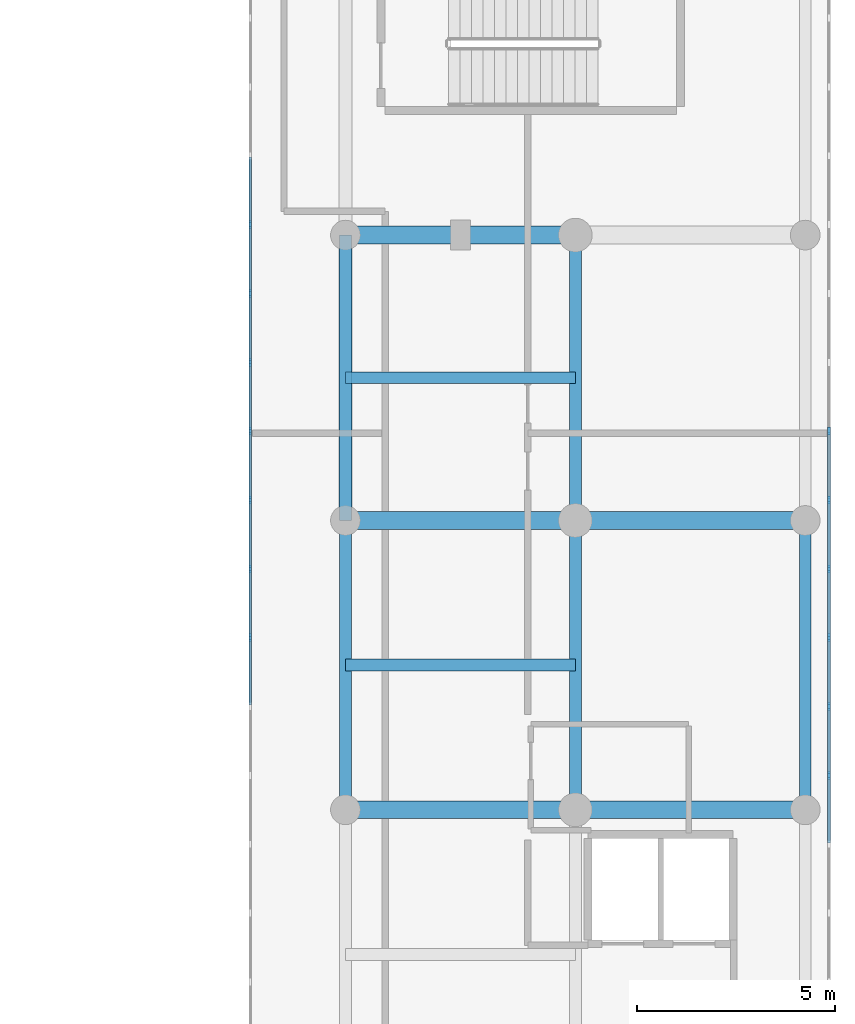
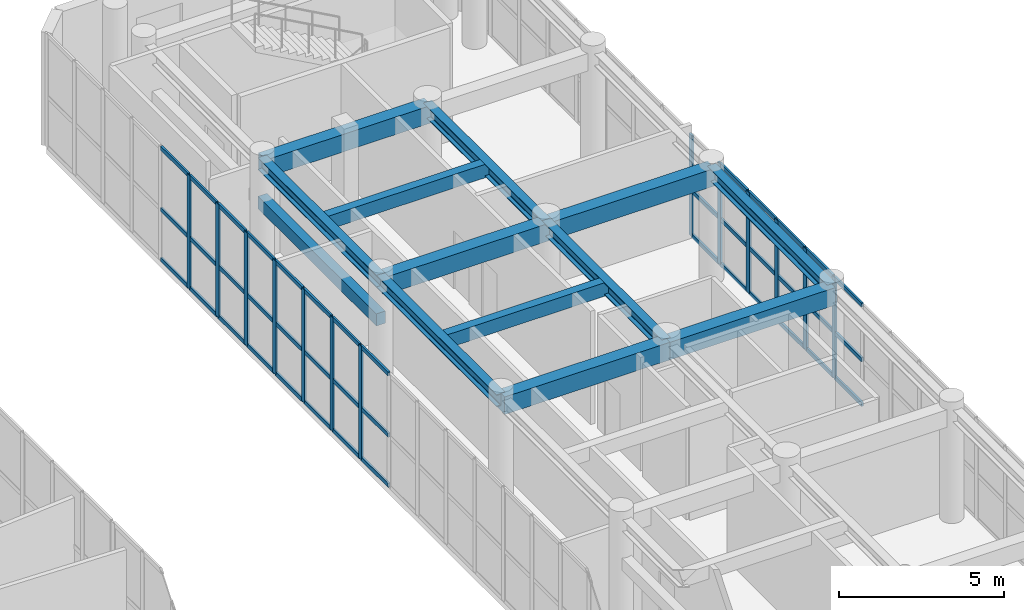
# One storey, part 8 of 26: 54 members, 13 beams, 2 elements without a shape of their own.
"""IFC4 building model written with IfcOpenShell, lengths in metres."""

from ifc_helpers import new_model, si_unit, direction, frame, origin, origin_with_axes, origin_2d, place, context, subcontext, project, spatial, rectangle, i_section, extrude, source, transform, mapped, material, layer, layer_set, material_profile, profile_set, type_object, element, aggregate, save


model = new_model("IFC4")

# Units and contexts
model_context = context("Model", 3, precision=1e-05, world=origin(), true_north=direction((0.0, 1.0)))
body_context = subcontext(model_context, "Body", "Model", "MODEL_VIEW")
ifc_project = project(units=[si_unit("LENGTHUNIT", "METRE"), si_unit("AREAUNIT", "SQUARE_METRE"), si_unit("VOLUMEUNIT", "CUBIC_METRE"), si_unit("PLANEANGLEUNIT", "RADIAN"), si_unit("MASSUNIT", "GRAM", prefix="KILO")], contexts=[model_context])

# Site, building, storey
site_placement = place(None, origin())
site = spatial("IfcSite", under=ifc_project, at=site_placement, CompositionType="ELEMENT")
building_placement = place(site_placement, origin())
building = spatial("IfcBuilding", under=site, at=building_placement, Name="Karkom Vertical University and Central Library", CompositionType="ELEMENT")
storey_placement = place(building_placement, frame((0.0, 0.0, 9.0)))
storey = spatial("IfcBuildingStorey", under=building, at=storey_placement, Name="L02", CompositionType="ELEMENT", Elevation=9.0)

# Beams
ifc_material_1 = material(Name="Concrete C40/50", Category="concrete")
ifc_material_profile_1 = material_profile(ifc_material_1, rectangle(XDim=0.449951171875, YDim=0.64990234375, at=origin_2d()), Name="RCB-450x650")
ifc_profile_set_1 = profile_set([ifc_material_profile_1], Name="Concrete C40/50")
beam_type_1 = type_object("IfcBeamType", Name="STR-BM-BG-4", PredefinedType="USERDEFINED", material=ifc_profile_set_1)
shared_shape_1 = source(origin_with_axes(), body_context, "Body", "SweptSolid", [
    extrude(rectangle(XDim=0.449951171875, YDim=0.64990234375, at=origin_2d()), origin(), (0.0, 0.0, 1.0), 5.7998046875),
])
for number, where, z_axis, x_axis, name in (
    (1, (69.60009765625, 26.5, 3.875), (1.0, 0.0, 0.0), (0.0, 1.0, 0.0), "Level 02 Library Transverse Girder 4.1"),
    (2, (69.60009765625, 33.800048828125, 3.875), (1.0, 0.0, 0.0), (0.0, 1.0, 0.0), "Level 02 Library Transverse Girder 5.1"),
    (3, (69.60009765625, 41.0, 3.875), (1.0, 0.0, 0.0), (0.0, 1.0, 0.0), "Level 02 Library Transverse Girder 6.1"),
):
    element("IfcBeam", number, at=place(storey_placement, frame(where, z_axis=z_axis, x_axis=x_axis)), inside=storey, type_object=beam_type_1, Name=name, ObjectType="GIRDER", PredefinedType="USERDEFINED", context=body_context, shape_type="MappedRepresentation", body=[
        mapped(shared_shape_1, transform((0.0, 0.0, 0.0), scale=1.0)),
    ])
shared_shape_2 = source(origin_with_axes(), body_context, "Body", "SweptSolid", [
    extrude(rectangle(XDim=0.449951171875, YDim=0.64990234375, at=origin_2d()), origin(), (0.0, 0.0, 1.0), 5.800048828125),
])
for number, where, z_axis, x_axis, name in (
    (4, (75.39990234375, 26.5, 3.875), (1.0, 0.0, 0.0), (0.0, 1.0, 0.0), "Level 02 Library Transverse Girder 4.2"),
    (5, (75.39990234375, 33.800048828125, 3.875), (1.0, 0.0, 0.0), (0.0, 1.0, 0.0), "Level 02 Library Transverse Girder 5.2"),
):
    element("IfcBeam", number, at=place(storey_placement, frame(where, z_axis=z_axis, x_axis=x_axis)), inside=storey, type_object=beam_type_1, Name=name, ObjectType="GIRDER", PredefinedType="USERDEFINED", context=body_context, shape_type="MappedRepresentation", body=[
        mapped(shared_shape_2, transform((0.0, 0.0, 0.0), scale=1.0)),
    ])
ifc_material_2 = material(Name="Steel S355", Category="steel")
ifc_material_profile_2 = material_profile(ifc_material_2, i_section(OverallWidth=0.300048828125, OverallDepth=0.449951171875, WebThickness=0.013916015625, FlangeThickness=0.02587890625, FilletRadius=0.027099609375, at=origin_2d()), Name="HE 450 B")
ifc_profile_set_2 = profile_set([ifc_material_profile_2], Name="Steel S355")
beam_type_2 = type_object("IfcBeamType", Name="STR-BM-SB-HE450", PredefinedType="BEAM", material=ifc_profile_set_2)
shared_shape_3 = source(origin_with_axes(), body_context, "Body", "SweptSolid", [
    extrude(i_section(OverallWidth=0.300048828125, OverallDepth=0.449951171875, WebThickness=0.013916015625, FlangeThickness=0.02587890625, FilletRadius=0.027099609375, at=origin_2d()), origin(), (0.0, 0.0, 1.0), 7.199951171875),
])
for number, where, z_axis, x_axis, name in (
    (6, (69.60009765625, 33.800048828125, 3.97509765625), (0.0, 1.0, 0.0), (-1.0, 0.0, 0.0), "Level 02 Library Longitudinal Beam 1.5"),
    (7, (75.39990234375, 33.800048828125, 3.97509765625), (0.0, 1.0, 0.0), (-1.0, 0.0, 0.0), "Level 02 Library Longitudinal Beam 2.5"),
):
    element("IfcBeam", number, at=place(storey_placement, frame(where, z_axis=z_axis, x_axis=x_axis)), inside=storey, type_object=beam_type_2, Name=name, PredefinedType="BEAM", context=body_context, shape_type="MappedRepresentation", body=[
        mapped(shared_shape_3, transform((0.0, 0.0, 0.0), scale=1.0)),
    ])
shared_shape_4 = source(origin_with_axes(), body_context, "Body", "SweptSolid", [
    extrude(i_section(OverallWidth=0.300048828125, OverallDepth=0.449951171875, WebThickness=0.013916015625, FlangeThickness=0.02587890625, FilletRadius=0.027099609375, at=origin_2d()), origin(), (0.0, 0.0, 1.0), 7.300048828125),
])
for number, where, z_axis, x_axis, name in (
    (8, (69.60009765625, 26.5, 3.97509765625), (0.0, 1.0, 0.0), (-1.0, 0.0, 0.0), "Level 02 Library Longitudinal Beam 1.4"),
    (9, (75.39990234375, 26.5, 3.97509765625), (0.0, 1.0, 0.0), (-1.0, 0.0, 0.0), "Level 02 Library Longitudinal Beam 2.4"),
    (10, (81.199951171875, 26.5, 3.97509765625), (0.0, 1.0, 0.0), (-1.0, 0.0, 0.0), "Level 02 Library Longitudinal Beam 3.4"),
):
    element("IfcBeam", number, at=place(storey_placement, frame(where, z_axis=z_axis, x_axis=x_axis)), inside=storey, type_object=beam_type_2, Name=name, PredefinedType="BEAM", context=body_context, shape_type="MappedRepresentation", body=[
        mapped(shared_shape_4, transform((0.0, 0.0, 0.0), scale=1.0)),
    ])
ifc_material_profile_3 = material_profile(ifc_material_1, rectangle(XDim=0.300048828125, YDim=0.5, at=origin_2d()), Name="RCJ-300x500")
ifc_profile_set_3 = profile_set([ifc_material_profile_3], Name="Concrete C40/50")
beam_type_3 = type_object("IfcBeamType", Name="STR-BM-JS-1", PredefinedType="JOIST", material=ifc_profile_set_3)
shared_shape_5 = source(origin_with_axes(), body_context, "Body", "SweptSolid", [
    extrude(rectangle(XDim=0.300048828125, YDim=0.5, at=origin_2d()), origin(), (0.0, 0.0, 1.0), 5.7998046875),
])
for number, where, z_axis, x_axis, name in (
    (11, (69.60009765625, 30.14990234375, 3.949951171875), (1.0, 0.0, 0.0), (0.0, 1.0, 0.0), "Level 02 Library Reading Coffered Joist 4"),
    (12, (69.60009765625, 37.39990234375, 3.949951171875), (1.0, 0.0, 0.0), (0.0, 1.0, 0.0), "Level 02 Library Reading Coffered Joist 5"),
):
    element("IfcBeam", number, at=place(storey_placement, frame(where, z_axis=z_axis, x_axis=x_axis)), inside=storey, type_object=beam_type_3, Name=name, PredefinedType="JOIST", context=body_context, shape_type="MappedRepresentation", body=[
        mapped(shared_shape_5, transform((0.0, 0.0, 0.0), scale=1.0)),
    ])
ifc_material_3 = material(Name="Precast concrete C45/55", Category="concrete")
ifc_material_profile_4 = material_profile(ifc_material_3, rectangle(XDim=0.320068359375, YDim=0.449951171875, at=origin_2d()), Name="RCL-320x450")
ifc_profile_set_4 = profile_set([ifc_material_profile_4], Name="Precast concrete C45/55")
beam_type_4 = type_object("IfcBeamType", Name="STR-BM-LN-1", PredefinedType="LINTEL", material=ifc_profile_set_4)
shared_shape_6 = source(origin_with_axes(), body_context, "Body", "SweptSolid", [
    extrude(rectangle(XDim=0.320068359375, YDim=0.449951171875, at=origin_2d()), origin(), (0.0, 0.0, 1.0), 7.199951171875),
])
beam_placement = place(storey_placement, frame((69.60009765625, 33.800048828125, 2.550048828125), z_axis=(0.0, 1.0, 0.0), x_axis=(-1.0, 0.0, 0.0)))
element("IfcBeam", 13, at=beam_placement, inside=storey, type_object=beam_type_4, Name="Level 02 Brutalist Concrete Portal Lintel 3", PredefinedType="LINTEL", context=body_context, shape_type="MappedRepresentation", body=[
    mapped(shared_shape_6, transform((0.0, 0.0, 0.0), scale=1.0)),
])

# Curtain wall, members
ifc_material_4 = material(Name="Aluminium curtain-wall framing and low-E IGU", Category="aluminium")
ifc_layer = layer(ifc_material_4, 0.199951171875)
ifc_layer_set = layer_set([ifc_layer], Name="Aluminium curtain-wall framing and low-E IGU")
curtain_wall_type = type_object("IfcCurtainWallType", Name="ENV-CW-1", PredefinedType="USERDEFINED", material=ifc_layer_set)
curtain_wall_1_placement = place(storey_placement, origin())
curtain_wall_1 = element("IfcCurtainWall", 14, at=curtain_wall_1_placement, inside=storey, type_object=curtain_wall_type, Name="Level 02 CW-1 Curtain Wall Level 02-CW-1-LIB-3", ObjectType="STICK MULLION GLAZING", PredefinedType="USERDEFINED")
ifc_material_5 = material(Name="Anodised Aluminium 6063-T6", Category="aluminium")
ifc_material_profile_5 = material_profile(ifc_material_5, rectangle(XDim=0.070068359375, YDim=0.199951171875, at=origin_2d()), Name="ALU-M70x200")
ifc_profile_set_5 = profile_set([ifc_material_profile_5], Name="Anodised Aluminium 6063-T6")
member_type_1 = type_object("IfcMemberType", Name="ENV-MEM-ALU-M70x200", PredefinedType="MULLION", material=ifc_profile_set_5)
shared_shape_7 = source(origin_with_axes(), body_context, "Body", "SweptSolid", [
    extrude(rectangle(XDim=0.070068359375, YDim=0.199951171875, at=origin_2d()), origin(), (0.0, 0.0, 1.0), 3.75),
])
member_1_placement = place(storey_placement, frame((81.800048828125, 27.368408203125, 0.0), z_axis=(0.0, 0.0, 1.0), x_axis=(-1.0, 0.0, 0.0)))
member_1 = element("IfcMember", 15, at=member_1_placement, type_object=member_type_1, Name="CW-1 mullion 15", PredefinedType="MULLION", context=body_context, shape_type="MappedRepresentation", body=[
    mapped(shared_shape_7, transform((0.0, 0.0, 0.0), scale=1.0)),
])
member_2_placement = place(storey_placement, frame((81.800048828125, 29.10546875, 0.0), z_axis=(0.0, 0.0, 1.0), x_axis=(-1.0, 0.0, 0.0)))
member_2 = element("IfcMember", 16, at=member_2_placement, type_object=member_type_1, Name="CW-1 mullion 16", PredefinedType="MULLION", context=body_context, shape_type="MappedRepresentation", body=[
    mapped(shared_shape_7, transform((0.0, 0.0, 0.0), scale=1.0)),
])
member_3_placement = place(storey_placement, frame((81.800048828125, 30.842529296875, 0.0), z_axis=(0.0, 0.0, 1.0), x_axis=(-1.0, 0.0, 0.0)))
member_3 = element("IfcMember", 17, at=member_3_placement, type_object=member_type_1, Name="CW-1 mullion 17", PredefinedType="MULLION", context=body_context, shape_type="MappedRepresentation", body=[
    mapped(shared_shape_7, transform((0.0, 0.0, 0.0), scale=1.0)),
])
member_4_placement = place(storey_placement, frame((81.800048828125, 32.57958984375, 0.0), z_axis=(0.0, 0.0, 1.0), x_axis=(-1.0, 0.0, 0.0)))
member_4 = element("IfcMember", 18, at=member_4_placement, type_object=member_type_1, Name="CW-1 mullion 18", PredefinedType="MULLION", context=body_context, shape_type="MappedRepresentation", body=[
    mapped(shared_shape_7, transform((0.0, 0.0, 0.0), scale=1.0)),
])
member_5_placement = place(storey_placement, frame((81.800048828125, 34.316650390625, 0.0), z_axis=(0.0, 0.0, 1.0), x_axis=(-1.0, 0.0, 0.0)))
member_5 = element("IfcMember", 19, at=member_5_placement, type_object=member_type_1, Name="CW-1 mullion 19", PredefinedType="MULLION", context=body_context, shape_type="MappedRepresentation", body=[
    mapped(shared_shape_7, transform((0.0, 0.0, 0.0), scale=1.0)),
])
member_6_placement = place(storey_placement, frame((81.800048828125, 36.0537109375, 0.0), z_axis=(0.0, 0.0, 1.0), x_axis=(-1.0, 0.0, 0.0)))
member_6 = element("IfcMember", 20, at=member_6_placement, type_object=member_type_1, Name="CW-1 mullion 20", PredefinedType="MULLION", context=body_context, shape_type="MappedRepresentation", body=[
    mapped(shared_shape_7, transform((0.0, 0.0, 0.0), scale=1.0)),
])

curtain_wall_2_placement = place(storey_placement, origin())
curtain_wall_2 = element("IfcCurtainWall", 21, at=curtain_wall_2_placement, inside=storey, type_object=curtain_wall_type, Name="Level 02 CW-1 Curtain Wall Level 02-CW-1-LIB-7", ObjectType="STICK MULLION GLAZING", PredefinedType="USERDEFINED")
shared_shape_8 = source(origin_with_axes(), body_context, "Body", "SweptSolid", [
    extrude(rectangle(XDim=0.070068359375, YDim=0.199951171875, at=origin_2d()), origin(), (0.0, 0.0, 1.0), 4.199951171875),
])
member_7_placement = place(storey_placement, frame((67.199951171875, 41.264892578125, 0.0), z_axis=(0.0, 0.0, 1.0), x_axis=(1.0, 0.0, 0.0)))
member_7 = element("IfcMember", 22, at=member_7_placement, type_object=member_type_1, Name="CW-1 mullion 6", PredefinedType="MULLION", context=body_context, shape_type="MappedRepresentation", body=[
    mapped(shared_shape_8, transform((0.0, 0.0, 0.0), scale=1.0)),
])
member_8_placement = place(storey_placement, frame((67.199951171875, 39.52783203125, 0.0), z_axis=(0.0, 0.0, 1.0), x_axis=(1.0, 0.0, 0.0)))
member_8 = element("IfcMember", 23, at=member_8_placement, type_object=member_type_1, Name="CW-1 mullion 7", PredefinedType="MULLION", context=body_context, shape_type="MappedRepresentation", body=[
    mapped(shared_shape_8, transform((0.0, 0.0, 0.0), scale=1.0)),
])
member_9_placement = place(storey_placement, frame((67.199951171875, 37.790771484375, 0.0), z_axis=(0.0, 0.0, 1.0), x_axis=(1.0, 0.0, 0.0)))
member_9 = element("IfcMember", 24, at=member_9_placement, type_object=member_type_1, Name="CW-1 mullion 8", PredefinedType="MULLION", context=body_context, shape_type="MappedRepresentation", body=[
    mapped(shared_shape_8, transform((0.0, 0.0, 0.0), scale=1.0)),
])
member_10_placement = place(storey_placement, frame((67.199951171875, 36.0537109375, 0.0), z_axis=(0.0, 0.0, 1.0), x_axis=(1.0, 0.0, 0.0)))
member_10 = element("IfcMember", 25, at=member_10_placement, type_object=member_type_1, Name="CW-1 mullion 9", PredefinedType="MULLION", context=body_context, shape_type="MappedRepresentation", body=[
    mapped(shared_shape_8, transform((0.0, 0.0, 0.0), scale=1.0)),
])
member_11_placement = place(storey_placement, frame((67.199951171875, 34.316650390625, 0.0), z_axis=(0.0, 0.0, 1.0), x_axis=(1.0, 0.0, 0.0)))
member_11 = element("IfcMember", 26, at=member_11_placement, type_object=member_type_1, Name="CW-1 mullion 10", PredefinedType="MULLION", context=body_context, shape_type="MappedRepresentation", body=[
    mapped(shared_shape_8, transform((0.0, 0.0, 0.0), scale=1.0)),
])
member_12_placement = place(storey_placement, frame((67.199951171875, 32.57958984375, 0.0), z_axis=(0.0, 0.0, 1.0), x_axis=(1.0, 0.0, 0.0)))
member_12 = element("IfcMember", 27, at=member_12_placement, type_object=member_type_1, Name="CW-1 mullion 11", PredefinedType="MULLION", context=body_context, shape_type="MappedRepresentation", body=[
    mapped(shared_shape_8, transform((0.0, 0.0, 0.0), scale=1.0)),
])
member_13_placement = place(storey_placement, frame((67.199951171875, 30.842529296875, 0.0), z_axis=(0.0, 0.0, 1.0), x_axis=(1.0, 0.0, 0.0)))
member_13 = element("IfcMember", 28, at=member_13_placement, type_object=member_type_1, Name="CW-1 mullion 12", PredefinedType="MULLION", context=body_context, shape_type="MappedRepresentation", body=[
    mapped(shared_shape_8, transform((0.0, 0.0, 0.0), scale=1.0)),
])

# Member
ifc_material_profile_6 = material_profile(ifc_material_5, rectangle(XDim=0.070068359375, YDim=0.14990234375, at=origin_2d()), Name="ALU-T70x150")
ifc_profile_set_6 = profile_set([ifc_material_profile_6], Name="Anodised Aluminium 6063-T6")
member_type_2 = type_object("IfcMemberType", Name="ENV-MEM-ALU-T70x150", PredefinedType="USERDEFINED", material=ifc_profile_set_6)
shared_shape_9 = source(origin_with_axes(), body_context, "Body", "SweptSolid", [
    extrude(rectangle(XDim=0.070068359375, YDim=0.14990234375, at=origin_2d()), origin(), (0.0, 0.0, 1.0), 1.6669921875),
])
member_14_placement = place(storey_placement, frame((81.800048828125, 25.66650390625, 0.034912109375), z_axis=(0.0, 1.0, 0.0), x_axis=(-1.0, 0.0, 0.0)))
member_14 = element("IfcMember", 29, at=member_14_placement, type_object=member_type_2, Name="CW-1 transom 14.1", ObjectType="TRANSOM", PredefinedType="USERDEFINED", context=body_context, shape_type="MappedRepresentation", body=[
    mapped(shared_shape_9, transform((0.0, 0.0, 0.0), scale=1.0)),
])

member_15_placement = place(storey_placement, frame((81.800048828125, 25.66650390625, 1.6875), z_axis=(0.0, 1.0, 0.0), x_axis=(-1.0, 0.0, 0.0)))
member_15 = element("IfcMember", 30, at=member_15_placement, type_object=member_type_2, Name="CW-1 transom 14.2", ObjectType="TRANSOM", PredefinedType="USERDEFINED", context=body_context, shape_type="MappedRepresentation", body=[
    mapped(shared_shape_9, transform((0.0, 0.0, 0.0), scale=1.0)),
])

member_16_placement = place(storey_placement, frame((81.800048828125, 25.66650390625, 3.715087890625), z_axis=(0.0, 1.0, 0.0), x_axis=(-1.0, 0.0, 0.0)))
member_16 = element("IfcMember", 31, at=member_16_placement, type_object=member_type_2, Name="CW-1 transom 14.3", ObjectType="TRANSOM", PredefinedType="USERDEFINED", context=body_context, shape_type="MappedRepresentation", body=[
    mapped(shared_shape_9, transform((0.0, 0.0, 0.0), scale=1.0)),
])

member_17_placement = place(storey_placement, frame((81.800048828125, 27.403564453125, 0.034912109375), z_axis=(0.0, 1.0, 0.0), x_axis=(-1.0, 0.0, 0.0)))
member_17 = element("IfcMember", 32, at=member_17_placement, type_object=member_type_2, Name="CW-1 transom 15.1", ObjectType="TRANSOM", PredefinedType="USERDEFINED", context=body_context, shape_type="MappedRepresentation", body=[
    mapped(shared_shape_9, transform((0.0, 0.0, 0.0), scale=1.0)),
])

member_18_placement = place(storey_placement, frame((81.800048828125, 27.403564453125, 1.6875), z_axis=(0.0, 1.0, 0.0), x_axis=(-1.0, 0.0, 0.0)))
member_18 = element("IfcMember", 33, at=member_18_placement, type_object=member_type_2, Name="CW-1 transom 15.2", ObjectType="TRANSOM", PredefinedType="USERDEFINED", context=body_context, shape_type="MappedRepresentation", body=[
    mapped(shared_shape_9, transform((0.0, 0.0, 0.0), scale=1.0)),
])

member_19_placement = place(storey_placement, frame((81.800048828125, 27.403564453125, 3.715087890625), z_axis=(0.0, 1.0, 0.0), x_axis=(-1.0, 0.0, 0.0)))
member_19 = element("IfcMember", 34, at=member_19_placement, type_object=member_type_2, Name="CW-1 transom 15.3", ObjectType="TRANSOM", PredefinedType="USERDEFINED", context=body_context, shape_type="MappedRepresentation", body=[
    mapped(shared_shape_9, transform((0.0, 0.0, 0.0), scale=1.0)),
])

member_20_placement = place(storey_placement, frame((81.800048828125, 29.140625, 0.034912109375), z_axis=(0.0, 1.0, 0.0), x_axis=(-1.0, 0.0, 0.0)))
member_20 = element("IfcMember", 35, at=member_20_placement, type_object=member_type_2, Name="CW-1 transom 16.1", ObjectType="TRANSOM", PredefinedType="USERDEFINED", context=body_context, shape_type="MappedRepresentation", body=[
    mapped(shared_shape_9, transform((0.0, 0.0, 0.0), scale=1.0)),
])

member_21_placement = place(storey_placement, frame((81.800048828125, 29.140625, 1.6875), z_axis=(0.0, 1.0, 0.0), x_axis=(-1.0, 0.0, 0.0)))
member_21 = element("IfcMember", 36, at=member_21_placement, type_object=member_type_2, Name="CW-1 transom 16.2", ObjectType="TRANSOM", PredefinedType="USERDEFINED", context=body_context, shape_type="MappedRepresentation", body=[
    mapped(shared_shape_9, transform((0.0, 0.0, 0.0), scale=1.0)),
])

member_22_placement = place(storey_placement, frame((81.800048828125, 29.140625, 3.715087890625), z_axis=(0.0, 1.0, 0.0), x_axis=(-1.0, 0.0, 0.0)))
member_22 = element("IfcMember", 37, at=member_22_placement, type_object=member_type_2, Name="CW-1 transom 16.3", ObjectType="TRANSOM", PredefinedType="USERDEFINED", context=body_context, shape_type="MappedRepresentation", body=[
    mapped(shared_shape_9, transform((0.0, 0.0, 0.0), scale=1.0)),
])

member_23_placement = place(storey_placement, frame((81.800048828125, 30.877685546875, 0.034912109375), z_axis=(0.0, 1.0, 0.0), x_axis=(-1.0, 0.0, 0.0)))
member_23 = element("IfcMember", 38, at=member_23_placement, type_object=member_type_2, Name="CW-1 transom 17.1", ObjectType="TRANSOM", PredefinedType="USERDEFINED", context=body_context, shape_type="MappedRepresentation", body=[
    mapped(shared_shape_9, transform((0.0, 0.0, 0.0), scale=1.0)),
])

member_24_placement = place(storey_placement, frame((81.800048828125, 30.877685546875, 1.6875), z_axis=(0.0, 1.0, 0.0), x_axis=(-1.0, 0.0, 0.0)))
member_24 = element("IfcMember", 39, at=member_24_placement, type_object=member_type_2, Name="CW-1 transom 17.2", ObjectType="TRANSOM", PredefinedType="USERDEFINED", context=body_context, shape_type="MappedRepresentation", body=[
    mapped(shared_shape_9, transform((0.0, 0.0, 0.0), scale=1.0)),
])

member_25_placement = place(storey_placement, frame((81.800048828125, 30.877685546875, 3.715087890625), z_axis=(0.0, 1.0, 0.0), x_axis=(-1.0, 0.0, 0.0)))
member_25 = element("IfcMember", 40, at=member_25_placement, type_object=member_type_2, Name="CW-1 transom 17.3", ObjectType="TRANSOM", PredefinedType="USERDEFINED", context=body_context, shape_type="MappedRepresentation", body=[
    mapped(shared_shape_9, transform((0.0, 0.0, 0.0), scale=1.0)),
])

member_26_placement = place(storey_placement, frame((81.800048828125, 32.61474609375, 0.034912109375), z_axis=(0.0, 1.0, 0.0), x_axis=(-1.0, 0.0, 0.0)))
member_26 = element("IfcMember", 41, at=member_26_placement, type_object=member_type_2, Name="CW-1 transom 18.1", ObjectType="TRANSOM", PredefinedType="USERDEFINED", context=body_context, shape_type="MappedRepresentation", body=[
    mapped(shared_shape_9, transform((0.0, 0.0, 0.0), scale=1.0)),
])

member_27_placement = place(storey_placement, frame((81.800048828125, 32.61474609375, 1.6875), z_axis=(0.0, 1.0, 0.0), x_axis=(-1.0, 0.0, 0.0)))
member_27 = element("IfcMember", 42, at=member_27_placement, type_object=member_type_2, Name="CW-1 transom 18.2", ObjectType="TRANSOM", PredefinedType="USERDEFINED", context=body_context, shape_type="MappedRepresentation", body=[
    mapped(shared_shape_9, transform((0.0, 0.0, 0.0), scale=1.0)),
])

member_28_placement = place(storey_placement, frame((81.800048828125, 32.61474609375, 3.715087890625), z_axis=(0.0, 1.0, 0.0), x_axis=(-1.0, 0.0, 0.0)))
member_28 = element("IfcMember", 43, at=member_28_placement, type_object=member_type_2, Name="CW-1 transom 18.3", ObjectType="TRANSOM", PredefinedType="USERDEFINED", context=body_context, shape_type="MappedRepresentation", body=[
    mapped(shared_shape_9, transform((0.0, 0.0, 0.0), scale=1.0)),
])

member_29_placement = place(storey_placement, frame((67.199951171875, 42.966796875, 0.034912109375), z_axis=(0.0, -1.0, 0.0), x_axis=(1.0, 0.0, 0.0)))
member_29 = element("IfcMember", 44, at=member_29_placement, type_object=member_type_2, Name="CW-1 transom 5.1", ObjectType="TRANSOM", PredefinedType="USERDEFINED", context=body_context, shape_type="MappedRepresentation", body=[
    mapped(shared_shape_9, transform((0.0, 0.0, 0.0), scale=1.0)),
])

member_30_placement = place(storey_placement, frame((67.199951171875, 42.966796875, 1.889892578125), z_axis=(0.0, -1.0, 0.0), x_axis=(1.0, 0.0, 0.0)))
member_30 = element("IfcMember", 45, at=member_30_placement, type_object=member_type_2, Name="CW-1 transom 5.2", ObjectType="TRANSOM", PredefinedType="USERDEFINED", context=body_context, shape_type="MappedRepresentation", body=[
    mapped(shared_shape_9, transform((0.0, 0.0, 0.0), scale=1.0)),
])

member_31_placement = place(storey_placement, frame((67.199951171875, 42.966796875, 4.1650390625), z_axis=(0.0, -1.0, 0.0), x_axis=(1.0, 0.0, 0.0)))
member_31 = element("IfcMember", 46, at=member_31_placement, type_object=member_type_2, Name="CW-1 transom 5.3", ObjectType="TRANSOM", PredefinedType="USERDEFINED", context=body_context, shape_type="MappedRepresentation", body=[
    mapped(shared_shape_9, transform((0.0, 0.0, 0.0), scale=1.0)),
])

member_32_placement = place(storey_placement, frame((67.199951171875, 41.229736328125, 0.034912109375), z_axis=(0.0, -1.0, 0.0), x_axis=(1.0, 0.0, 0.0)))
member_32 = element("IfcMember", 47, at=member_32_placement, type_object=member_type_2, Name="CW-1 transom 6.1", ObjectType="TRANSOM", PredefinedType="USERDEFINED", context=body_context, shape_type="MappedRepresentation", body=[
    mapped(shared_shape_9, transform((0.0, 0.0, 0.0), scale=1.0)),
])

member_33_placement = place(storey_placement, frame((67.199951171875, 41.229736328125, 1.889892578125), z_axis=(0.0, -1.0, 0.0), x_axis=(1.0, 0.0, 0.0)))
member_33 = element("IfcMember", 48, at=member_33_placement, type_object=member_type_2, Name="CW-1 transom 6.2", ObjectType="TRANSOM", PredefinedType="USERDEFINED", context=body_context, shape_type="MappedRepresentation", body=[
    mapped(shared_shape_9, transform((0.0, 0.0, 0.0), scale=1.0)),
])

member_34_placement = place(storey_placement, frame((67.199951171875, 41.229736328125, 4.1650390625), z_axis=(0.0, -1.0, 0.0), x_axis=(1.0, 0.0, 0.0)))
member_34 = element("IfcMember", 49, at=member_34_placement, type_object=member_type_2, Name="CW-1 transom 6.3", ObjectType="TRANSOM", PredefinedType="USERDEFINED", context=body_context, shape_type="MappedRepresentation", body=[
    mapped(shared_shape_9, transform((0.0, 0.0, 0.0), scale=1.0)),
])

member_35_placement = place(storey_placement, frame((67.199951171875, 39.49267578125, 0.034912109375), z_axis=(0.0, -1.0, 0.0), x_axis=(1.0, 0.0, 0.0)))
member_35 = element("IfcMember", 50, at=member_35_placement, type_object=member_type_2, Name="CW-1 transom 7.1", ObjectType="TRANSOM", PredefinedType="USERDEFINED", context=body_context, shape_type="MappedRepresentation", body=[
    mapped(shared_shape_9, transform((0.0, 0.0, 0.0), scale=1.0)),
])

member_36_placement = place(storey_placement, frame((67.199951171875, 39.49267578125, 1.889892578125), z_axis=(0.0, -1.0, 0.0), x_axis=(1.0, 0.0, 0.0)))
member_36 = element("IfcMember", 51, at=member_36_placement, type_object=member_type_2, Name="CW-1 transom 7.2", ObjectType="TRANSOM", PredefinedType="USERDEFINED", context=body_context, shape_type="MappedRepresentation", body=[
    mapped(shared_shape_9, transform((0.0, 0.0, 0.0), scale=1.0)),
])

member_37_placement = place(storey_placement, frame((67.199951171875, 39.49267578125, 4.1650390625), z_axis=(0.0, -1.0, 0.0), x_axis=(1.0, 0.0, 0.0)))
member_37 = element("IfcMember", 52, at=member_37_placement, type_object=member_type_2, Name="CW-1 transom 7.3", ObjectType="TRANSOM", PredefinedType="USERDEFINED", context=body_context, shape_type="MappedRepresentation", body=[
    mapped(shared_shape_9, transform((0.0, 0.0, 0.0), scale=1.0)),
])

member_38_placement = place(storey_placement, frame((67.199951171875, 34.28173828125, 0.034912109375), z_axis=(0.0, -1.0, 0.0), x_axis=(1.0, 0.0, 0.0)))
member_38 = element("IfcMember", 53, at=member_38_placement, type_object=member_type_2, Name="CW-1 transom 10.1", ObjectType="TRANSOM", PredefinedType="USERDEFINED", context=body_context, shape_type="MappedRepresentation", body=[
    mapped(shared_shape_9, transform((0.0, 0.0, 0.0), scale=1.0)),
])

member_39_placement = place(storey_placement, frame((67.199951171875, 34.28173828125, 1.889892578125), z_axis=(0.0, -1.0, 0.0), x_axis=(1.0, 0.0, 0.0)))
member_39 = element("IfcMember", 54, at=member_39_placement, type_object=member_type_2, Name="CW-1 transom 10.2", ObjectType="TRANSOM", PredefinedType="USERDEFINED", context=body_context, shape_type="MappedRepresentation", body=[
    mapped(shared_shape_9, transform((0.0, 0.0, 0.0), scale=1.0)),
])

member_40_placement = place(storey_placement, frame((67.199951171875, 34.28173828125, 4.1650390625), z_axis=(0.0, -1.0, 0.0), x_axis=(1.0, 0.0, 0.0)))
member_40 = element("IfcMember", 55, at=member_40_placement, type_object=member_type_2, Name="CW-1 transom 10.3", ObjectType="TRANSOM", PredefinedType="USERDEFINED", context=body_context, shape_type="MappedRepresentation", body=[
    mapped(shared_shape_9, transform((0.0, 0.0, 0.0), scale=1.0)),
])

member_41_placement = place(storey_placement, frame((67.199951171875, 32.544677734375, 0.034912109375), z_axis=(0.0, -1.0, 0.0), x_axis=(1.0, 0.0, 0.0)))
member_41 = element("IfcMember", 56, at=member_41_placement, type_object=member_type_2, Name="CW-1 transom 11.1", ObjectType="TRANSOM", PredefinedType="USERDEFINED", context=body_context, shape_type="MappedRepresentation", body=[
    mapped(shared_shape_9, transform((0.0, 0.0, 0.0), scale=1.0)),
])

member_42_placement = place(storey_placement, frame((67.199951171875, 32.544677734375, 1.889892578125), z_axis=(0.0, -1.0, 0.0), x_axis=(1.0, 0.0, 0.0)))
member_42 = element("IfcMember", 57, at=member_42_placement, type_object=member_type_2, Name="CW-1 transom 11.2", ObjectType="TRANSOM", PredefinedType="USERDEFINED", context=body_context, shape_type="MappedRepresentation", body=[
    mapped(shared_shape_9, transform((0.0, 0.0, 0.0), scale=1.0)),
])

member_43_placement = place(storey_placement, frame((67.199951171875, 32.544677734375, 4.1650390625), z_axis=(0.0, -1.0, 0.0), x_axis=(1.0, 0.0, 0.0)))
member_43 = element("IfcMember", 58, at=member_43_placement, type_object=member_type_2, Name="CW-1 transom 11.3", ObjectType="TRANSOM", PredefinedType="USERDEFINED", context=body_context, shape_type="MappedRepresentation", body=[
    mapped(shared_shape_9, transform((0.0, 0.0, 0.0), scale=1.0)),
])

member_44_placement = place(storey_placement, frame((67.199951171875, 30.8076171875, 0.034912109375), z_axis=(0.0, -1.0, 0.0), x_axis=(1.0, 0.0, 0.0)))
member_44 = element("IfcMember", 59, at=member_44_placement, type_object=member_type_2, Name="CW-1 transom 12.1", ObjectType="TRANSOM", PredefinedType="USERDEFINED", context=body_context, shape_type="MappedRepresentation", body=[
    mapped(shared_shape_9, transform((0.0, 0.0, 0.0), scale=1.0)),
])

member_45_placement = place(storey_placement, frame((67.199951171875, 30.8076171875, 1.889892578125), z_axis=(0.0, -1.0, 0.0), x_axis=(1.0, 0.0, 0.0)))
member_45 = element("IfcMember", 60, at=member_45_placement, type_object=member_type_2, Name="CW-1 transom 12.2", ObjectType="TRANSOM", PredefinedType="USERDEFINED", context=body_context, shape_type="MappedRepresentation", body=[
    mapped(shared_shape_9, transform((0.0, 0.0, 0.0), scale=1.0)),
])

member_46_placement = place(storey_placement, frame((67.199951171875, 30.8076171875, 4.1650390625), z_axis=(0.0, -1.0, 0.0), x_axis=(1.0, 0.0, 0.0)))
member_46 = element("IfcMember", 61, at=member_46_placement, type_object=member_type_2, Name="CW-1 transom 12.3", ObjectType="TRANSOM", PredefinedType="USERDEFINED", context=body_context, shape_type="MappedRepresentation", body=[
    mapped(shared_shape_9, transform((0.0, 0.0, 0.0), scale=1.0)),
])

shared_shape_10 = source(origin_with_axes(), body_context, "Body", "SweptSolid", [
    extrude(rectangle(XDim=0.070068359375, YDim=0.14990234375, at=origin_2d()), origin(), (0.0, 0.0, 1.0), 1.667236328125),
])
member_47_placement = place(storey_placement, frame((81.800048828125, 34.3515625, 0.034912109375), z_axis=(0.0, 1.0, 0.0), x_axis=(-1.0, 0.0, 0.0)))
member_47 = element("IfcMember", 62, at=member_47_placement, type_object=member_type_2, Name="CW-1 transom 19.1", ObjectType="TRANSOM", PredefinedType="USERDEFINED", context=body_context, shape_type="MappedRepresentation", body=[
    mapped(shared_shape_10, transform((0.0, 0.0, 0.0), scale=1.0)),
])

member_48_placement = place(storey_placement, frame((81.800048828125, 34.3515625, 1.6875), z_axis=(0.0, 1.0, 0.0), x_axis=(-1.0, 0.0, 0.0)))
member_48 = element("IfcMember", 63, at=member_48_placement, type_object=member_type_2, Name="CW-1 transom 19.2", ObjectType="TRANSOM", PredefinedType="USERDEFINED", context=body_context, shape_type="MappedRepresentation", body=[
    mapped(shared_shape_10, transform((0.0, 0.0, 0.0), scale=1.0)),
])

aggregate(curtain_wall_1, [member_1, member_2, member_3, member_4, member_5, member_6, member_14, member_15, member_16, member_17, member_18, member_19, member_20, member_21, member_22, member_23, member_24, member_25, member_26, member_27, member_28, member_47, member_48])

member_49_placement = place(storey_placement, frame((67.199951171875, 37.755859375, 0.034912109375), z_axis=(0.0, -1.0, 0.0), x_axis=(1.0, 0.0, 0.0)))
member_49 = element("IfcMember", 64, at=member_49_placement, type_object=member_type_2, Name="CW-1 transom 8.1", ObjectType="TRANSOM", PredefinedType="USERDEFINED", context=body_context, shape_type="MappedRepresentation", body=[
    mapped(shared_shape_10, transform((0.0, 0.0, 0.0), scale=1.0)),
])

member_50_placement = place(storey_placement, frame((67.199951171875, 37.755859375, 1.889892578125), z_axis=(0.0, -1.0, 0.0), x_axis=(1.0, 0.0, 0.0)))
member_50 = element("IfcMember", 65, at=member_50_placement, type_object=member_type_2, Name="CW-1 transom 8.2", ObjectType="TRANSOM", PredefinedType="USERDEFINED", context=body_context, shape_type="MappedRepresentation", body=[
    mapped(shared_shape_10, transform((0.0, 0.0, 0.0), scale=1.0)),
])

member_51_placement = place(storey_placement, frame((67.199951171875, 37.755859375, 4.1650390625), z_axis=(0.0, -1.0, 0.0), x_axis=(1.0, 0.0, 0.0)))
member_51 = element("IfcMember", 66, at=member_51_placement, type_object=member_type_2, Name="CW-1 transom 8.3", ObjectType="TRANSOM", PredefinedType="USERDEFINED", context=body_context, shape_type="MappedRepresentation", body=[
    mapped(shared_shape_10, transform((0.0, 0.0, 0.0), scale=1.0)),
])

member_52_placement = place(storey_placement, frame((67.199951171875, 36.018798828125, 0.034912109375), z_axis=(0.0, -1.0, 0.0), x_axis=(1.0, 0.0, 0.0)))
member_52 = element("IfcMember", 67, at=member_52_placement, type_object=member_type_2, Name="CW-1 transom 9.1", ObjectType="TRANSOM", PredefinedType="USERDEFINED", context=body_context, shape_type="MappedRepresentation", body=[
    mapped(shared_shape_10, transform((0.0, 0.0, 0.0), scale=1.0)),
])

member_53_placement = place(storey_placement, frame((67.199951171875, 36.018798828125, 1.889892578125), z_axis=(0.0, -1.0, 0.0), x_axis=(1.0, 0.0, 0.0)))
member_53 = element("IfcMember", 68, at=member_53_placement, type_object=member_type_2, Name="CW-1 transom 9.2", ObjectType="TRANSOM", PredefinedType="USERDEFINED", context=body_context, shape_type="MappedRepresentation", body=[
    mapped(shared_shape_10, transform((0.0, 0.0, 0.0), scale=1.0)),
])

member_54_placement = place(storey_placement, frame((67.199951171875, 36.018798828125, 4.1650390625), z_axis=(0.0, -1.0, 0.0), x_axis=(1.0, 0.0, 0.0)))
member_54 = element("IfcMember", 69, at=member_54_placement, type_object=member_type_2, Name="CW-1 transom 9.3", ObjectType="TRANSOM", PredefinedType="USERDEFINED", context=body_context, shape_type="MappedRepresentation", body=[
    mapped(shared_shape_10, transform((0.0, 0.0, 0.0), scale=1.0)),
])

aggregate(curtain_wall_2, [member_7, member_8, member_9, member_10, member_11, member_12, member_13, member_29, member_30, member_31, member_32, member_33, member_34, member_35, member_36, member_37, member_49, member_50, member_51, member_52, member_53, member_54, member_38, member_39, member_40, member_41, member_42, member_43, member_44, member_45, member_46])

save(model, "model.ifc")
